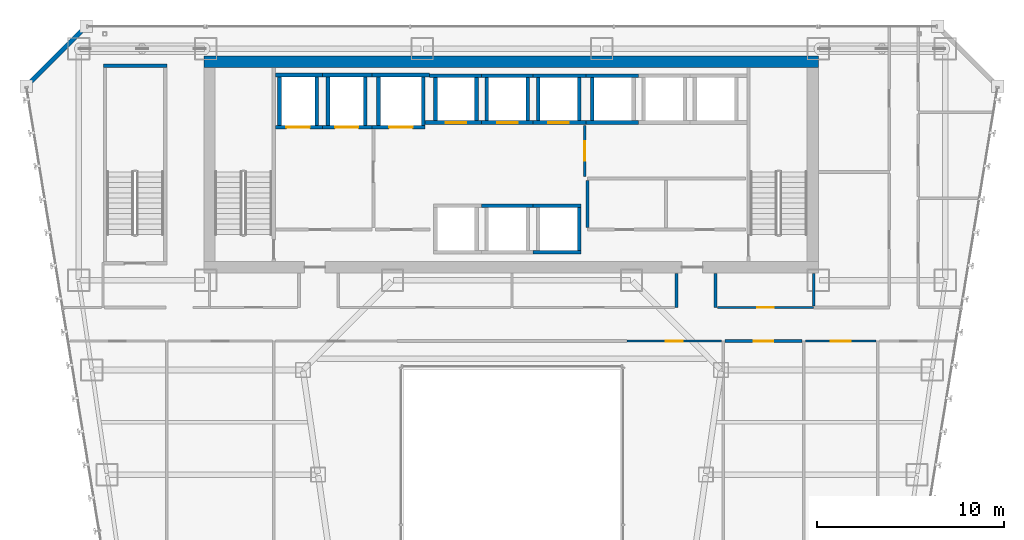
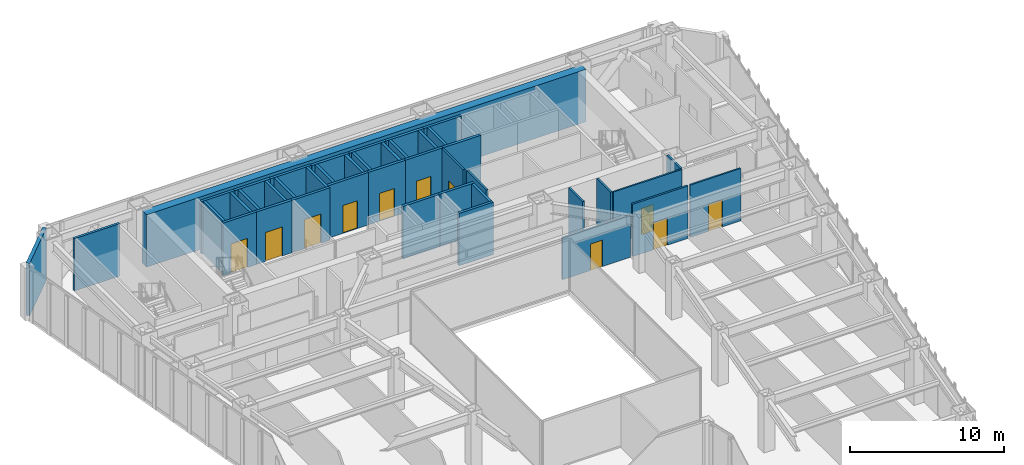
# One storey, part 37 of 47: 43 walls, 11 doors, 11 openings.
"""IFC4 building model written with IfcOpenShell, lengths in metres."""

from ifc_helpers import new_model, si_unit, direction, frame, frame_2d, origin, place, context, subcontext, project, spatial, rectangle, extrude, material, layer, layer_set, type_object, element, fill, save


model = new_model("IFC4")

# Units and contexts
model_context = context("Model", 3, precision=1e-05, world=origin(), true_north=direction((0.0, 1.0)))
body_context = subcontext(model_context, "Body", "Model", "MODEL_VIEW")
ifc_project = project(units=[si_unit("LENGTHUNIT", "METRE"), si_unit("AREAUNIT", "SQUARE_METRE"), si_unit("VOLUMEUNIT", "CUBIC_METRE"), si_unit("PLANEANGLEUNIT", "RADIAN"), si_unit("MASSUNIT", "GRAM", prefix="KILO")], contexts=[model_context])

# Site, building, storey
site_placement = place(None, origin())
site = spatial("IfcSite", under=ifc_project, at=site_placement, CompositionType="ELEMENT")
building_placement = place(site_placement, origin())
building = spatial("IfcBuilding", under=site, at=building_placement, Name="Saevonmaru Cultural Tower", CompositionType="ELEMENT")
storey_placement = place(building_placement, frame((0.0, 0.0, 92.800048828125)))
storey = spatial("IfcBuildingStorey", under=building, at=storey_placement, Name="L19", CompositionType="ELEMENT", Elevation=92.800048828125)

# Wall
ifc_material_1 = material(Name="Concrete C60/75", Category="concrete")
ifc_layer_1 = layer(ifc_material_1, 0.60009765625, Name="Concrete C60/75")
ifc_layer_set_1 = layer_set([ifc_layer_1], Name="Concrete C60/75")
wall_type_1 = type_object("IfcWallType", Name="WL-CORE-600", PredefinedType="SHEAR", material=ifc_layer_set_1)
wall_1_placement = place(storey_placement, frame((13.5, 54.10009765625, 0.0), z_axis=(0.0, 0.0, 1.0), x_axis=(1.0, 0.0, 0.0)))
element("IfcWall", 1, at=wall_1_placement, inside=storey, type_object=wall_type_1, Name="L19 Tower RC core shear wall N", PredefinedType="SHEAR", context=body_context, shape_type="SweptSolid", body=[
    extrude(rectangle(XDim=32.89990234375, YDim=0.60009765625, at=frame_2d((16.449951171875, 0.0))), origin(), (0.0, 0.0, 1.0), 4.14990234375),
])

# Wall, opening, door
ifc_material_2 = material(Name="Gypsum Fireboard Partition", Category="gypsum")
ifc_layer_2 = layer(ifc_material_2, 0.14990234375, Name="Gypsum Fireboard Partition")
ifc_layer_set_2 = layer_set([ifc_layer_2], Name="Gypsum Fireboard Partition")
wall_type_2 = type_object("IfcWallType", Name="WL-CORE-PART-150", PredefinedType="PARTITIONING", material=ifc_layer_set_2)
wall_2_placement = place(storey_placement, frame((33.89990234375, 47.949951171875, 0.0), z_axis=(0.0, 0.0, 1.0), x_axis=(0.0, 1.0, 0.0)))
wall_2 = element("IfcWall", 2, at=wall_2_placement, inside=storey, type_object=wall_type_2, Name="L19 Zone Lobby Divider", PredefinedType="PARTITIONING", context=body_context, shape_type="SweptSolid", body=[
    extrude(rectangle(XDim=2.75, YDim=0.14990234375, at=frame_2d((1.375, 0.0))), origin(), (0.0, 0.0, 1.0), 4.14990234375),
])
opening_1_placement = place(wall_2_placement, frame((0.85009765625, 0.0, 0.0)))
opening_1 = element("IfcOpeningElement", 3, at=opening_1_placement, cuts=wall_2, Name="Opening ID-1", PredefinedType="OPENING", context=body_context, shape_type="SweptSolid", body=[
    extrude(rectangle(XDim=1.050048828125, YDim=2.14990234375, at=frame_2d((0.52490234375, 1.074951171875))), frame((0.0, 0.0849609375, 0.0), z_axis=(0.0, -1.0, 0.0), x_axis=(1.0, 0.0, 0.0)), (0.0, 0.0, 1.0), 0.169921875),
])
ifc_material_3 = material(Name="Satin Bronze Anodised Aluminium", Category="aluminium")
door_type_1 = type_object("IfcDoorType", Name="DR-INT-1050", OperationType="SINGLE_SWING_LEFT", PredefinedType="DOOR", material=ifc_material_3)
door_1_placement = place(opening_1_placement, origin())
door_1 = element("IfcDoor", 4, at=door_1_placement, inside=storey, type_object=door_type_1, Name="L19 Inter-Lobby Link Door", OperationType="SINGLE_SWING_LEFT", OverallHeight=2.14990234375, OverallWidth=1.050048828125, PredefinedType="DOOR", context=body_context, shape_type="SweptSolid", body=[
    extrude(rectangle(XDim=1.050048828125, YDim=2.14990234375, at=frame_2d((0.52490234375, 1.074951171875))), frame((0.0, 0.02490234375, 0.0), z_axis=(0.0, -1.0, 0.0), x_axis=(1.0, 0.0, 0.0)), (0.0, 0.0, 1.0), 0.050048828125),
])
fill(opening_1, door_1)

# Walls
wall_3_placement = place(storey_placement, frame((34.050048828125, 45.219970703125, 0.0), z_axis=(0.0, 0.0, 1.0), x_axis=(0.0, 1.0, 0.0)))
element("IfcWall", 5, at=wall_3_placement, inside=storey, type_object=wall_type_2, Name="L19 Core Plant West Wall", PredefinedType="PARTITIONING", context=body_context, shape_type="SweptSolid", body=[
    extrude(rectangle(XDim=2.530029296875, YDim=0.14990234375, at=frame_2d((1.26513671875, 0.0))), origin(), (0.0, 0.0, 1.0), 4.14990234375),
])
ifc_material_4 = material(Name="Granite-Clad Precast Concrete C40/50", Category="masonry")
ifc_layer_3 = layer(ifc_material_4, 0.260009765625, Name="Granite-Clad Precast Concrete C40/50")
ifc_layer_set_3 = layer_set([ifc_layer_3], Name="Granite-Clad Precast Concrete C40/50")
wall_type_3 = type_object("IfcWallType", Name="WL-EXT-SPANDREL-260", PredefinedType="STANDARD", material=ifc_layer_set_3)
wall_4_placement = place(storey_placement, frame((7.0869140625, 55.886962890625, 0.0), z_axis=(0.0, 0.0, 1.0), x_axis=(-0.707106781187, -0.707106781187, 0.0)))
element("IfcWall", 6, at=wall_4_placement, inside=storey, type_object=wall_type_3, Name="L19 Chamfer Corner Spandrel Wall E11", PredefinedType="STANDARD", context=body_context, shape_type="SweptSolid", body=[
    extrude(rectangle(XDim=4.205810546875, YDim=0.260009765625, at=frame_2d((2.10302734375, 0.0))), origin(), (0.0, 0.0, 1.0), 4.14990234375),
])
ifc_layer_4 = layer(ifc_material_2, 0.14990234375, Name="Gypsum Fireboard Partition")
ifc_layer_set_4 = layer_set([ifc_layer_4], Name="Gypsum Fireboard Partition")
wall_type_4 = type_object("IfcWallType", Name="WL-PART-FIRE-150", PredefinedType="PARTITIONING", material=ifc_layer_set_4)
for number, where, z_axis, x_axis, name in (
    (7, (38.800048828125, 40.949951171875, 0.0), (0.0, 0.0, 1.0), (0.0, 1.0, 0.0), "L19 Core Portal Side Wall E1"),
    (8, (40.89990234375, 40.949951171875, 0.0), (0.0, 0.0, 1.0), (0.0, 1.0, 0.0), "L19 Core Portal Side Wall E2"),
):
    element("IfcWall", number, at=place(storey_placement, frame(where, z_axis=z_axis, x_axis=x_axis)), inside=storey, type_object=wall_type_4, Name=name, PredefinedType="PARTITIONING", context=body_context, shape_type="SweptSolid", body=[
        extrude(rectangle(XDim=1.830078125, YDim=0.14990234375, at=frame_2d((0.9150390625, 0.0))), origin(), (0.0, 0.0, 1.0), 4.14990234375),
    ])

# Wall, opening, door
wall_5_placement = place(storey_placement, frame((41.3974609375, 39.14990234375, 0.0), z_axis=(0.0, 0.0, 1.0), x_axis=(1.0, 0.0, 0.0)))
wall_5 = element("IfcWall", 9, at=wall_5_placement, inside=storey, type_object=wall_type_4, Name="L19 East Asian Ceramics Gallery Corridor Wall", PredefinedType="PARTITIONING", context=body_context, shape_type="SweptSolid", body=[
    extrude(rectangle(XDim=4.135009765625, YDim=0.14990234375, at=frame_2d((2.0673828125, 0.0))), origin(), (0.0, 0.0, 1.0), 4.14990234375),
])
opening_2_placement = place(wall_5_placement, frame((1.5419921875, 0.0, 0.0)))
opening_2 = element("IfcOpeningElement", 10, at=opening_2_placement, cuts=wall_5, Name="Opening ID-1", PredefinedType="OPENING", context=body_context, shape_type="SweptSolid", body=[
    extrude(rectangle(XDim=1.050048828125, YDim=2.14990234375, at=frame_2d((0.52490234375, 1.074951171875))), frame((0.0, 0.0849609375, 0.0), z_axis=(0.0, -1.0, 0.0), x_axis=(1.0, 0.0, 0.0)), (0.0, 0.0, 1.0), 0.169921875),
])
door_2_placement = place(opening_2_placement, origin())
door_2 = element("IfcDoor", 11, at=door_2_placement, inside=storey, type_object=door_type_1, Name="L19 East Asian Ceramics Gallery Door", OperationType="SINGLE_SWING_LEFT", OverallHeight=2.14990234375, OverallWidth=1.050048828125, PredefinedType="DOOR", context=body_context, shape_type="SweptSolid", body=[
    extrude(rectangle(XDim=1.050048828125, YDim=2.14990234375, at=frame_2d((0.52490234375, 1.074951171875))), frame((0.0, 0.02490234375, 0.0), z_axis=(0.0, -1.0, 0.0), x_axis=(1.0, 0.0, 0.0)), (0.0, 0.0, 1.0), 0.050048828125),
])
fill(opening_2, door_2)

ifc_layer_5 = layer(ifc_material_2, 0.1201171875, Name="Gypsum Fireboard Partition")
ifc_layer_set_5 = layer_set([ifc_layer_5], Name="Gypsum Fireboard Partition")
wall_type_5 = type_object("IfcWallType", Name="WL-PART-GYP-120", PredefinedType="PARTITIONING", material=ifc_layer_set_5)
wall_6_placement = place(storey_placement, frame((40.9951171875, 40.949951171875, 0.0), z_axis=(0.0, 0.0, 1.0), x_axis=(1.0, 0.0, 0.0)))
wall_6 = element("IfcWall", 12, at=wall_6_placement, inside=storey, type_object=wall_type_5, Name="L19 Literature Seminar Meeting Room Corridor Wall", PredefinedType="PARTITIONING", context=body_context, shape_type="SweptSolid", body=[
    extrude(rectangle(XDim=5.15478515625, YDim=0.1201171875, at=frame_2d((2.577392578125, 0.0))), origin(), (0.0, 0.0, 1.0), 4.14990234375),
])
opening_3_placement = place(wall_6_placement, frame((2.1279296875, 0.0, 0.0)))
opening_3 = element("IfcOpeningElement", 13, at=opening_3_placement, cuts=wall_6, Name="Opening ID-2", PredefinedType="OPENING", context=body_context, shape_type="SweptSolid", body=[
    extrude(rectangle(XDim=0.89990234375, YDim=2.10009765625, at=frame_2d((0.449951171875, 1.050048828125))), frame((0.0, 0.070068359375, 0.0), z_axis=(0.0, -1.0, 0.0), x_axis=(1.0, 0.0, 0.0)), (0.0, 0.0, 1.0), 0.14013671875),
])
ifc_material_5 = material(Name="Acoustic Stained Oak Timber", Category="wood")
door_type_2 = type_object("IfcDoorType", Name="DR-INT-900", OperationType="SINGLE_SWING_RIGHT", PredefinedType="DOOR", material=ifc_material_5)
door_3_placement = place(opening_3_placement, origin())
door_3 = element("IfcDoor", 14, at=door_3_placement, inside=storey, type_object=door_type_2, Name="L19 Literature Seminar Meeting Room Door", OperationType="SINGLE_SWING_RIGHT", OverallHeight=2.10009765625, OverallWidth=0.89990234375, PredefinedType="DOOR", context=body_context, shape_type="SweptSolid", body=[
    extrude(rectangle(XDim=0.89990234375, YDim=2.10009765625, at=frame_2d((0.449951171875, 1.050048828125))), frame((0.0, 0.02490234375, 0.0), z_axis=(0.0, -1.0, 0.0), x_axis=(1.0, 0.0, 0.0)), (0.0, 0.0, 1.0), 0.050048828125),
])
fill(opening_3, door_3)

wall_7_placement = place(storey_placement, frame((36.14990234375, 39.14990234375, 0.0), z_axis=(0.0, 0.0, 1.0), x_axis=(1.0, 0.0, 0.0)))
wall_7 = element("IfcWall", 15, at=wall_7_placement, inside=storey, type_object=wall_type_5, Name="L19 Literature Seminar Meeting Room Corridor Wall", PredefinedType="PARTITIONING", context=body_context, shape_type="SweptSolid", body=[
    extrude(rectangle(XDim=5.072509765625, YDim=0.1201171875, at=frame_2d((2.5361328125, 0.0))), origin(), (0.0, 0.0, 1.0), 3.3349609375),
])
opening_4_placement = place(wall_7_placement, frame((2.0859375, 0.0, 0.0)))
opening_4 = element("IfcOpeningElement", 16, at=opening_4_placement, cuts=wall_7, Name="Opening ID-2", PredefinedType="OPENING", context=body_context, shape_type="SweptSolid", body=[
    extrude(rectangle(XDim=0.89990234375, YDim=2.10009765625, at=frame_2d((0.449951171875, 1.050048828125))), frame((0.0, 0.070068359375, 0.0), z_axis=(0.0, -1.0, 0.0), x_axis=(1.0, 0.0, 0.0)), (0.0, 0.0, 1.0), 0.14013671875),
])
door_4_placement = place(opening_4_placement, origin())
door_4 = element("IfcDoor", 17, at=door_4_placement, inside=storey, type_object=door_type_2, Name="L19 Literature Seminar Meeting Room Door", OperationType="SINGLE_SWING_RIGHT", OverallHeight=2.10009765625, OverallWidth=0.89990234375, PredefinedType="DOOR", context=body_context, shape_type="SweptSolid", body=[
    extrude(rectangle(XDim=0.89990234375, YDim=2.10009765625, at=frame_2d((0.449951171875, 1.050048828125))), frame((0.0, 0.02490234375, 0.0), z_axis=(0.0, -1.0, 0.0), x_axis=(1.0, 0.0, 0.0)), (0.0, 0.0, 1.0), 0.050048828125),
])
fill(opening_4, door_4)

wall_8_placement = place(storey_placement, frame((45.70751953125, 39.14990234375, 0.0), z_axis=(0.0, 0.0, 1.0), x_axis=(1.0, 0.0, 0.0)))
wall_8 = element("IfcWall", 18, at=wall_8_placement, inside=storey, type_object=wall_type_5, Name="L19 Rare Folio Reading Room Corridor Wall", PredefinedType="PARTITIONING", context=body_context, shape_type="SweptSolid", body=[
    extrude(rectangle(XDim=3.784912109375, YDim=0.1201171875, at=frame_2d((1.892578125, 0.0))), origin(), (0.0, 0.0, 1.0), 4.14990234375),
])
opening_5_placement = place(wall_8_placement, frame((1.366943359375, 0.0, 0.0)))
opening_5 = element("IfcOpeningElement", 19, at=opening_5_placement, cuts=wall_8, Name="Opening ID-1", PredefinedType="OPENING", context=body_context, shape_type="SweptSolid", body=[
    extrude(rectangle(XDim=1.050048828125, YDim=2.14990234375, at=frame_2d((0.52490234375, 1.074951171875))), frame((0.0, 0.070068359375, 0.0), z_axis=(0.0, -1.0, 0.0), x_axis=(1.0, 0.0, 0.0)), (0.0, 0.0, 1.0), 0.14013671875),
])
door_5_placement = place(opening_5_placement, origin())
door_5 = element("IfcDoor", 20, at=door_5_placement, inside=storey, type_object=door_type_1, Name="L19 Rare Folio Reading Room Door", OperationType="SINGLE_SWING_RIGHT", OverallHeight=2.14990234375, OverallWidth=1.050048828125, PredefinedType="DOOR", context=body_context, shape_type="SweptSolid", body=[
    extrude(rectangle(XDim=1.050048828125, YDim=2.14990234375, at=frame_2d((0.52490234375, 1.074951171875))), frame((0.0, 0.02490234375, 0.0), z_axis=(0.0, -1.0, 0.0), x_axis=(1.0, 0.0, 0.0)), (0.0, 0.0, 1.0), 0.050048828125),
])
fill(opening_5, door_5)

# Wall
ifc_layer_6 = layer(ifc_material_2, 0.139892578125, Name="Gypsum Fireboard Partition")
ifc_layer_set_6 = layer_set([ifc_layer_6], Name="Gypsum Fireboard Partition")
wall_type_6 = type_object("IfcWallType", Name="WL-PART-WET-140", PredefinedType="PARTITIONING", material=ifc_layer_set_6)
wall_9_placement = place(storey_placement, frame((46.14990234375, 41.0400390625, 0.0), z_axis=(0.0, 0.0, 1.0), x_axis=(0.0, 1.0, 0.0)))
element("IfcWall", 21, at=wall_9_placement, inside=storey, type_object=wall_type_6, Name="L19 Washroom South-West Return", PredefinedType="PARTITIONING", context=body_context, shape_type="SweptSolid", body=[
    extrude(rectangle(XDim=1.739990234375, YDim=0.139892578125, at=frame_2d((0.8701171875, 0.0))), origin(), (0.0, 0.0, 1.0), 4.14990234375),
])

# Wall, opening, door
ifc_material_6 = material(Name="Concrete C40/50", Category="concrete")
ifc_layer_7 = layer(ifc_material_6, 0.199951171875, Name="Concrete C40/50")
ifc_layer_set_7 = layer_set([ifc_layer_7], Name="Concrete C40/50")
wall_type_7 = type_object("IfcWallType", Name="WL-SHAFT-200", PredefinedType="SHEAR", material=ifc_layer_set_7)
wall_10_placement = place(storey_placement, frame((17.330078125, 50.60009765625, 0.0), z_axis=(0.0, 0.0, 1.0), x_axis=(1.0, 0.0, 0.0)))
wall_10 = element("IfcWall", 22, at=wall_10_placement, inside=storey, type_object=wall_type_7, Name="L19 Lift FFL-1 Hoistway Wall S", PredefinedType="SHEAR", context=body_context, shape_type="SweptSolid", body=[
    extrude(rectangle(XDim=2.52001953125, YDim=0.199951171875, at=frame_2d((1.260009765625, 0.0))), origin(), (0.0, 0.0, 1.0), 4.14990234375),
])
opening_6_placement = place(wall_10_placement, frame((0.594970703125, 0.0, 0.0)))
opening_6 = element("IfcOpeningElement", 23, at=opening_6_placement, cuts=wall_10, Name="Opening LD-2", PredefinedType="OPENING", context=body_context, shape_type="SweptSolid", body=[
    extrude(rectangle(XDim=1.25, YDim=2.300048828125, at=frame_2d((0.625, 1.14990234375))), frame((0.0, 0.10986328125, 0.0), z_axis=(0.0, -1.0, 0.0), x_axis=(1.0, 0.0, 0.0)), (0.0, 0.0, 1.0), 0.219970703125),
])
ifc_material_7 = material(Name="Stainless Steel 316", Category="steel")
door_type_3 = type_object("IfcDoorType", Name="DR-LIFT-1250", OperationType="SLIDING_TO_LEFT", PredefinedType="DOOR", material=ifc_material_7)
door_6_placement = place(opening_6_placement, origin())
door_6 = element("IfcDoor", 24, at=door_6_placement, inside=storey, type_object=door_type_3, Name="L19 Lift FFL-1 Sliding Landing Door", OperationType="SLIDING_TO_LEFT", OverallHeight=2.300048828125, OverallWidth=1.25, PredefinedType="DOOR", context=body_context, shape_type="SweptSolid", body=[
    extrude(rectangle(XDim=1.25, YDim=2.300048828125, at=frame_2d((0.625, 1.14990234375))), frame((0.0, 0.02490234375, 0.0), z_axis=(0.0, -1.0, 0.0), x_axis=(1.0, 0.0, 0.0)), (0.0, 0.0, 1.0), 0.050048828125),
])
fill(opening_6, door_6)

# Walls
wall_11_placement = place(storey_placement, frame((17.330078125, 53.39990234375, 0.0), z_axis=(0.0, 0.0, 1.0), x_axis=(1.0, 0.0, 0.0)))
element("IfcWall", 25, at=wall_11_placement, inside=storey, type_object=wall_type_7, Name="L19 Lift FFL-1 Hoistway Wall N", PredefinedType="SHEAR", context=body_context, shape_type="SweptSolid", body=[
    extrude(rectangle(XDim=2.52001953125, YDim=0.199951171875, at=frame_2d((1.260009765625, 0.0))), origin(), (0.0, 0.0, 1.0), 4.14990234375),
])
for number, where, z_axis, x_axis, name in (
    (26, (17.550048828125, 50.699951171875, 0.0), (0.0, 0.0, 1.0), (0.0, 1.0, 0.0), "L19 Lift FFL-1 Hoistway Wall W"),
    (27, (19.550048828125, 50.699951171875, 0.0), (0.0, 0.0, 1.0), (0.0, 1.0, 0.0), "L19 Lift FFL-1 Hoistway Wall E"),
):
    element("IfcWall", number, at=place(storey_placement, frame(where, z_axis=z_axis, x_axis=x_axis)), inside=storey, type_object=wall_type_7, Name=name, PredefinedType="SHEAR", context=body_context, shape_type="SweptSolid", body=[
        extrude(rectangle(XDim=2.60009765625, YDim=0.199951171875, at=frame_2d((1.300048828125, 0.0))), origin(), (0.0, 0.0, 1.0), 4.14990234375),
    ])

# Wall, opening, door
wall_12_placement = place(storey_placement, frame((19.85009765625, 50.60009765625, 0.0), z_axis=(0.0, 0.0, 1.0), x_axis=(1.0, 0.0, 0.0)))
wall_12 = element("IfcWall", 28, at=wall_12_placement, inside=storey, type_object=wall_type_7, Name="L19 Lift FFL-2 Hoistway Wall S", PredefinedType="SHEAR", context=body_context, shape_type="SweptSolid", body=[
    extrude(rectangle(XDim=2.64990234375, YDim=0.199951171875, at=frame_2d((1.324951171875, 0.0))), origin(), (0.0, 0.0, 1.0), 4.14990234375),
])
opening_7_placement = place(wall_12_placement, frame((0.675048828125, 0.0, 0.0)))
opening_7 = element("IfcOpeningElement", 29, at=opening_7_placement, cuts=wall_12, Name="Opening LD-2", PredefinedType="OPENING", context=body_context, shape_type="SweptSolid", body=[
    extrude(rectangle(XDim=1.25, YDim=2.300048828125, at=frame_2d((0.625, 1.14990234375))), frame((0.0, 0.10986328125, 0.0), z_axis=(0.0, -1.0, 0.0), x_axis=(1.0, 0.0, 0.0)), (0.0, 0.0, 1.0), 0.219970703125),
])
door_7_placement = place(opening_7_placement, origin())
door_7 = element("IfcDoor", 30, at=door_7_placement, inside=storey, type_object=door_type_3, Name="L19 Lift FFL-2 Sliding Landing Door", OperationType="SLIDING_TO_LEFT", OverallHeight=2.300048828125, OverallWidth=1.25, PredefinedType="DOOR", context=body_context, shape_type="SweptSolid", body=[
    extrude(rectangle(XDim=1.25, YDim=2.300048828125, at=frame_2d((0.625, 1.14990234375))), frame((0.0, 0.02490234375, 0.0), z_axis=(0.0, -1.0, 0.0), x_axis=(1.0, 0.0, 0.0)), (0.0, 0.0, 1.0), 0.050048828125),
])
fill(opening_7, door_7)

# Walls
wall_13_placement = place(storey_placement, frame((19.85009765625, 53.39990234375, 0.0), z_axis=(0.0, 0.0, 1.0), x_axis=(1.0, 0.0, 0.0)))
element("IfcWall", 31, at=wall_13_placement, inside=storey, type_object=wall_type_7, Name="L19 Lift FFL-2 Hoistway Wall N", PredefinedType="SHEAR", context=body_context, shape_type="SweptSolid", body=[
    extrude(rectangle(XDim=2.64990234375, YDim=0.199951171875, at=frame_2d((1.324951171875, 0.0))), origin(), (0.0, 0.0, 1.0), 4.14990234375),
])
for number, where, z_axis, x_axis, name in (
    (32, (20.14990234375, 50.699951171875, 0.0), (0.0, 0.0, 1.0), (0.0, 1.0, 0.0), "L19 Lift FFL-2 Hoistway Wall W"),
    (33, (22.14990234375, 50.699951171875, 0.0), (0.0, 0.0, 1.0), (0.0, 1.0, 0.0), "L19 Lift FFL-2 Hoistway Wall E"),
):
    element("IfcWall", number, at=place(storey_placement, frame(where, z_axis=z_axis, x_axis=x_axis)), inside=storey, type_object=wall_type_7, Name=name, PredefinedType="SHEAR", context=body_context, shape_type="SweptSolid", body=[
        extrude(rectangle(XDim=2.60009765625, YDim=0.199951171875, at=frame_2d((1.300048828125, 0.0))), origin(), (0.0, 0.0, 1.0), 4.14990234375),
    ])

# Wall, opening, door
wall_14_placement = place(storey_placement, frame((22.5, 50.60009765625, 0.0), z_axis=(0.0, 0.0, 1.0), x_axis=(1.0, 0.0, 0.0)))
wall_14 = element("IfcWall", 34, at=wall_14_placement, inside=storey, type_object=wall_type_7, Name="L19 Lift GL-1 Hoistway Wall S", PredefinedType="SHEAR", context=body_context, shape_type="SweptSolid", body=[
    extrude(rectangle(XDim=2.85009765625, YDim=0.199951171875, at=frame_2d((1.425048828125, 0.0))), origin(), (0.0, 0.0, 1.0), 4.14990234375),
])
opening_8_placement = place(wall_14_placement, frame((0.925048828125, 0.0, 0.0)))
opening_8 = element("IfcOpeningElement", 35, at=opening_8_placement, cuts=wall_14, Name="Opening LD-2", PredefinedType="OPENING", context=body_context, shape_type="SweptSolid", body=[
    extrude(rectangle(XDim=1.25, YDim=2.300048828125, at=frame_2d((0.625, 1.14990234375))), frame((0.0, 0.10986328125, 0.0), z_axis=(0.0, -1.0, 0.0), x_axis=(1.0, 0.0, 0.0)), (0.0, 0.0, 1.0), 0.219970703125),
])
door_8_placement = place(opening_8_placement, origin())
door_8 = element("IfcDoor", 36, at=door_8_placement, inside=storey, type_object=door_type_3, Name="L19 Lift GL-1 Sliding Landing Door", OperationType="SLIDING_TO_LEFT", OverallHeight=2.300048828125, OverallWidth=1.25, PredefinedType="DOOR", context=body_context, shape_type="SweptSolid", body=[
    extrude(rectangle(XDim=1.25, YDim=2.300048828125, at=frame_2d((0.625, 1.14990234375))), frame((0.0, 0.02490234375, 0.0), z_axis=(0.0, -1.0, 0.0), x_axis=(1.0, 0.0, 0.0)), (0.0, 0.0, 1.0), 0.050048828125),
])
fill(opening_8, door_8)

# Walls
wall_15_placement = place(storey_placement, frame((22.5, 53.39990234375, 0.0), z_axis=(0.0, 0.0, 1.0), x_axis=(1.0, 0.0, 0.0)))
element("IfcWall", 37, at=wall_15_placement, inside=storey, type_object=wall_type_7, Name="L19 Lift GL-1 Hoistway Wall N", PredefinedType="SHEAR", context=body_context, shape_type="SweptSolid", body=[
    extrude(rectangle(XDim=3.074951171875, YDim=0.199951171875, at=frame_2d((1.53759765625, 0.0))), origin(), (0.0, 0.0, 1.0), 4.14990234375),
])
for number, where, z_axis, x_axis, name in (
    (38, (22.85009765625, 50.699951171875, 0.0), (0.0, 0.0, 1.0), (0.0, 1.0, 0.0), "L19 Lift GL-1 Hoistway Wall W"),
    (39, (25.25, 50.699951171875, 0.0), (0.0, 0.0, 1.0), (0.0, 1.0, 0.0), "L19 Lift GL-1 Hoistway Wall E"),
):
    element("IfcWall", number, at=place(storey_placement, frame(where, z_axis=z_axis, x_axis=x_axis)), inside=storey, type_object=wall_type_7, Name=name, PredefinedType="SHEAR", context=body_context, shape_type="SweptSolid", body=[
        extrude(rectangle(XDim=2.60009765625, YDim=0.199951171875, at=frame_2d((1.300048828125, 0.0))), origin(), (0.0, 0.0, 1.0), 4.14990234375),
    ])

# Wall, opening, door
wall_16_placement = place(storey_placement, frame((25.35009765625, 50.85009765625, 0.0), z_axis=(0.0, 0.0, 1.0), x_axis=(1.0, 0.0, 0.0)))
wall_16 = element("IfcWall", 40, at=wall_16_placement, inside=storey, type_object=wall_type_7, Name="L19 Lift PL-L1 Hoistway Wall S", PredefinedType="SHEAR", context=body_context, shape_type="SweptSolid", body=[
    extrude(rectangle(XDim=3.02490234375, YDim=0.199951171875, at=frame_2d((1.512451171875, 0.0))), origin(), (0.0, 0.0, 1.0), 4.14990234375),
])
opening_9_placement = place(wall_16_placement, frame((1.10009765625, 0.0, 0.0)))
opening_9 = element("IfcOpeningElement", 41, at=opening_9_placement, cuts=wall_16, Name="Opening LD-1", PredefinedType="OPENING", context=body_context, shape_type="SweptSolid", body=[
    extrude(rectangle(XDim=1.10009765625, YDim=2.199951171875, at=frame_2d((0.550048828125, 1.10009765625))), frame((0.0, 0.10986328125, 0.0), z_axis=(0.0, -1.0, 0.0), x_axis=(1.0, 0.0, 0.0)), (0.0, 0.0, 1.0), 0.219970703125),
])
ifc_material_8 = material(Name="Satin Bronze Stainless Steel", Category="steel")
door_type_4 = type_object("IfcDoorType", Name="DR-LIFT-1100", OperationType="SLIDING_TO_LEFT", PredefinedType="DOOR", material=ifc_material_8)
door_9_placement = place(opening_9_placement, origin())
door_9 = element("IfcDoor", 42, at=door_9_placement, inside=storey, type_object=door_type_4, Name="L19 Lift PL-L1 Sliding Landing Door", OperationType="SLIDING_TO_LEFT", OverallHeight=2.199951171875, OverallWidth=1.10009765625, PredefinedType="DOOR", context=body_context, shape_type="SweptSolid", body=[
    extrude(rectangle(XDim=1.10009765625, YDim=2.199951171875, at=frame_2d((0.550048828125, 1.10009765625))), frame((0.0, 0.02490234375, 0.0), z_axis=(0.0, -1.0, 0.0), x_axis=(1.0, 0.0, 0.0)), (0.0, 0.0, 1.0), 0.050048828125),
])
fill(opening_9, door_9)

# Walls
wall_17_placement = place(storey_placement, frame((25.574951171875, 53.35009765625, 0.0), z_axis=(0.0, 0.0, 1.0), x_axis=(1.0, 0.0, 0.0)))
element("IfcWall", 43, at=wall_17_placement, inside=storey, type_object=wall_type_7, Name="L19 Lift PL-L1 Hoistway Wall N", PredefinedType="SHEAR", context=body_context, shape_type="SweptSolid", body=[
    extrude(rectangle(XDim=2.800048828125, YDim=0.199951171875, at=frame_2d((1.39990234375, 0.0))), origin(), (0.0, 0.0, 1.0), 4.14990234375),
])
for number, where, z_axis, x_axis, name in (
    (44, (25.89990234375, 50.949951171875, 0.0), (0.0, 0.0, 1.0), (0.0, 1.0, 0.0), "L19 Lift PL-L1 Hoistway Wall W"),
    (45, (28.10009765625, 50.949951171875, 0.0), (0.0, 0.0, 1.0), (0.0, 1.0, 0.0), "L19 Lift PL-L1 Hoistway Wall E"),
):
    element("IfcWall", number, at=place(storey_placement, frame(where, z_axis=z_axis, x_axis=x_axis)), inside=storey, type_object=wall_type_7, Name=name, PredefinedType="SHEAR", context=body_context, shape_type="SweptSolid", body=[
        extrude(rectangle(XDim=2.300048828125, YDim=0.199951171875, at=frame_2d((1.14990234375, 0.0))), origin(), (0.0, 0.0, 1.0), 4.14990234375),
    ])

# Wall, opening, door
wall_18_placement = place(storey_placement, frame((28.375, 50.85009765625, 0.0), z_axis=(0.0, 0.0, 1.0), x_axis=(1.0, 0.0, 0.0)))
wall_18 = element("IfcWall", 46, at=wall_18_placement, inside=storey, type_object=wall_type_7, Name="L19 Lift PL-L2 Hoistway Wall S", PredefinedType="SHEAR", context=body_context, shape_type="SweptSolid", body=[
    extrude(rectangle(XDim=2.75, YDim=0.199951171875, at=frame_2d((1.375, 0.0))), origin(), (0.0, 0.0, 1.0), 4.14990234375),
])
opening_10_placement = place(wall_18_placement, frame((0.824951171875, 0.0, 0.0)))
opening_10 = element("IfcOpeningElement", 47, at=opening_10_placement, cuts=wall_18, Name="Opening LD-1", PredefinedType="OPENING", context=body_context, shape_type="SweptSolid", body=[
    extrude(rectangle(XDim=1.10009765625, YDim=2.199951171875, at=frame_2d((0.550048828125, 1.10009765625))), frame((0.0, 0.10986328125, 0.0), z_axis=(0.0, -1.0, 0.0), x_axis=(1.0, 0.0, 0.0)), (0.0, 0.0, 1.0), 0.219970703125),
])
door_10_placement = place(opening_10_placement, origin())
door_10 = element("IfcDoor", 48, at=door_10_placement, inside=storey, type_object=door_type_4, Name="L19 Lift PL-L2 Sliding Landing Door", OperationType="SLIDING_TO_LEFT", OverallHeight=2.199951171875, OverallWidth=1.10009765625, PredefinedType="DOOR", context=body_context, shape_type="SweptSolid", body=[
    extrude(rectangle(XDim=1.10009765625, YDim=2.199951171875, at=frame_2d((0.550048828125, 1.10009765625))), frame((0.0, 0.02490234375, 0.0), z_axis=(0.0, -1.0, 0.0), x_axis=(1.0, 0.0, 0.0)), (0.0, 0.0, 1.0), 0.050048828125),
])
fill(opening_10, door_10)

# Walls
wall_19_placement = place(storey_placement, frame((28.375, 53.35009765625, 0.0), z_axis=(0.0, 0.0, 1.0), x_axis=(1.0, 0.0, 0.0)))
element("IfcWall", 49, at=wall_19_placement, inside=storey, type_object=wall_type_7, Name="L19 Lift PL-L2 Hoistway Wall N", PredefinedType="SHEAR", context=body_context, shape_type="SweptSolid", body=[
    extrude(rectangle(XDim=2.75, YDim=0.199951171875, at=frame_2d((1.375, 0.0))), origin(), (0.0, 0.0, 1.0), 4.14990234375),
])
for number, where, z_axis, x_axis, name in (
    (50, (28.64990234375, 50.949951171875, 0.0), (0.0, 0.0, 1.0), (0.0, 1.0, 0.0), "L19 Lift PL-L2 Hoistway Wall W"),
    (51, (30.85009765625, 50.949951171875, 0.0), (0.0, 0.0, 1.0), (0.0, 1.0, 0.0), "L19 Lift PL-L2 Hoistway Wall E"),
):
    element("IfcWall", number, at=place(storey_placement, frame(where, z_axis=z_axis, x_axis=x_axis)), inside=storey, type_object=wall_type_7, Name=name, PredefinedType="SHEAR", context=body_context, shape_type="SweptSolid", body=[
        extrude(rectangle(XDim=2.300048828125, YDim=0.199951171875, at=frame_2d((1.14990234375, 0.0))), origin(), (0.0, 0.0, 1.0), 4.14990234375),
    ])

# Wall, opening, door
wall_20_placement = place(storey_placement, frame((31.125, 50.85009765625, 0.0), z_axis=(0.0, 0.0, 1.0), x_axis=(1.0, 0.0, 0.0)))
wall_20 = element("IfcWall", 52, at=wall_20_placement, inside=storey, type_object=wall_type_7, Name="L19 Lift PL-L3 Hoistway Wall S", PredefinedType="SHEAR", context=body_context, shape_type="SweptSolid", body=[
    extrude(rectangle(XDim=2.824951171875, YDim=0.199951171875, at=frame_2d((1.41259765625, 0.0))), origin(), (0.0, 0.0, 1.0), 4.14990234375),
])
opening_11_placement = place(wall_20_placement, frame((0.824951171875, 0.0, 0.0)))
opening_11 = element("IfcOpeningElement", 53, at=opening_11_placement, cuts=wall_20, Name="Opening LD-1", PredefinedType="OPENING", context=body_context, shape_type="SweptSolid", body=[
    extrude(rectangle(XDim=1.10009765625, YDim=2.199951171875, at=frame_2d((0.550048828125, 1.10009765625))), frame((0.0, 0.10986328125, 0.0), z_axis=(0.0, -1.0, 0.0), x_axis=(1.0, 0.0, 0.0)), (0.0, 0.0, 1.0), 0.219970703125),
])
door_11_placement = place(opening_11_placement, origin())
door_11 = element("IfcDoor", 54, at=door_11_placement, inside=storey, type_object=door_type_4, Name="L19 Lift PL-L3 Sliding Landing Door", OperationType="SLIDING_TO_LEFT", OverallHeight=2.199951171875, OverallWidth=1.10009765625, PredefinedType="DOOR", context=body_context, shape_type="SweptSolid", body=[
    extrude(rectangle(XDim=1.10009765625, YDim=2.199951171875, at=frame_2d((0.550048828125, 1.10009765625))), frame((0.0, 0.02490234375, 0.0), z_axis=(0.0, -1.0, 0.0), x_axis=(1.0, 0.0, 0.0)), (0.0, 0.0, 1.0), 0.050048828125),
])
fill(opening_11, door_11)

# Walls
wall_21_placement = place(storey_placement, frame((31.125, 53.35009765625, 0.0), z_axis=(0.0, 0.0, 1.0), x_axis=(1.0, 0.0, 0.0)))
element("IfcWall", 55, at=wall_21_placement, inside=storey, type_object=wall_type_7, Name="L19 Lift PL-L3 Hoistway Wall N", PredefinedType="SHEAR", context=body_context, shape_type="SweptSolid", body=[
    extrude(rectangle(XDim=2.824951171875, YDim=0.199951171875, at=frame_2d((1.41259765625, 0.0))), origin(), (0.0, 0.0, 1.0), 4.14990234375),
])
for number, where, z_axis, x_axis, name in (
    (56, (31.39990234375, 50.949951171875, 0.0), (0.0, 0.0, 1.0), (0.0, 1.0, 0.0), "L19 Lift PL-L3 Hoistway Wall W"),
    (57, (33.60009765625, 50.949951171875, 0.0), (0.0, 0.0, 1.0), (0.0, 1.0, 0.0), "L19 Lift PL-L3 Hoistway Wall E"),
):
    element("IfcWall", number, at=place(storey_placement, frame(where, z_axis=z_axis, x_axis=x_axis)), inside=storey, type_object=wall_type_7, Name=name, PredefinedType="SHEAR", context=body_context, shape_type="SweptSolid", body=[
        extrude(rectangle(XDim=2.300048828125, YDim=0.199951171875, at=frame_2d((1.14990234375, 0.0))), origin(), (0.0, 0.0, 1.0), 4.14990234375),
    ])
wall_22_placement = place(storey_placement, frame((28.375, 46.39990234375, 0.0), z_axis=(0.0, 0.0, 1.0), x_axis=(1.0, 0.0, 0.0)))
element("IfcWall", 58, at=wall_22_placement, inside=storey, type_object=wall_type_7, Name="L19 Lift PL-M2 Hoistway Wall N", PredefinedType="SHEAR", context=body_context, shape_type="SweptSolid", body=[
    extrude(rectangle(XDim=2.75, YDim=0.199951171875, at=frame_2d((1.375, 0.0))), origin(), (0.0, 0.0, 1.0), 4.14990234375),
])
for number, where, z_axis, x_axis, name in (
    (59, (31.125, 43.89990234375, 0.0), (0.0, 0.0, 1.0), (1.0, 0.0, 0.0), "L19 Lift PL-M3 Hoistway Wall S"),
    (60, (31.125, 46.39990234375, 0.0), (0.0, 0.0, 1.0), (1.0, 0.0, 0.0), "L19 Lift PL-M3 Hoistway Wall N"),
):
    element("IfcWall", number, at=place(storey_placement, frame(where, z_axis=z_axis, x_axis=x_axis)), inside=storey, type_object=wall_type_7, Name=name, PredefinedType="SHEAR", context=body_context, shape_type="SweptSolid", body=[
        extrude(rectangle(XDim=2.574951171875, YDim=0.199951171875, at=frame_2d((1.28759765625, 0.0))), origin(), (0.0, 0.0, 1.0), 4.14990234375),
    ])
wall_23_placement = place(storey_placement, frame((33.60009765625, 44.0, 0.0), z_axis=(0.0, 0.0, 1.0), x_axis=(0.0, 1.0, 0.0)))
element("IfcWall", 61, at=wall_23_placement, inside=storey, type_object=wall_type_7, Name="L19 Lift PL-M3 Hoistway Wall E", PredefinedType="SHEAR", context=body_context, shape_type="SweptSolid", body=[
    extrude(rectangle(XDim=2.300048828125, YDim=0.199951171875, at=frame_2d((1.14990234375, 0.0))), origin(), (0.0, 0.0, 1.0), 4.14990234375),
])
for number, where, z_axis, x_axis, name in (
    (62, (33.949951171875, 50.85009765625, 0.0), (0.0, 0.0, 1.0), (1.0, 0.0, 0.0), "L19 Lift PL-H1 Hoistway Wall S"),
    (63, (33.949951171875, 53.35009765625, 0.0), (0.0, 0.0, 1.0), (1.0, 0.0, 0.0), "L19 Lift PL-H1 Hoistway Wall N"),
):
    element("IfcWall", number, at=place(storey_placement, frame(where, z_axis=z_axis, x_axis=x_axis)), inside=storey, type_object=wall_type_7, Name=name, PredefinedType="SHEAR", context=body_context, shape_type="SweptSolid", body=[
        extrude(rectangle(XDim=2.824951171875, YDim=0.199951171875, at=frame_2d((1.41259765625, 0.0))), origin(), (0.0, 0.0, 1.0), 4.14990234375),
    ])
wall_24_placement = place(storey_placement, frame((34.300048828125, 50.949951171875, 0.0), z_axis=(0.0, 0.0, 1.0), x_axis=(0.0, 1.0, 0.0)))
element("IfcWall", 64, at=wall_24_placement, inside=storey, type_object=wall_type_7, Name="L19 Lift PL-H1 Hoistway Wall W", PredefinedType="SHEAR", context=body_context, shape_type="SweptSolid", body=[
    extrude(rectangle(XDim=2.300048828125, YDim=0.199951171875, at=frame_2d((1.14990234375, 0.0))), origin(), (0.0, 0.0, 1.0), 4.14990234375),
])
ifc_layer_8 = layer(ifc_material_6, 0.179931640625, Name="Concrete C40/50")
ifc_layer_set_8 = layer_set([ifc_layer_8], Name="Concrete C40/50")
wall_type_8 = type_object("IfcWallType", Name="WL-STSHAFT-180", PredefinedType="SHEAR", material=ifc_layer_set_8)
wall_25_placement = place(storey_placement, frame((11.530029296875, 53.889892578125, 0.0), z_axis=(0.0, 0.0, 1.0), x_axis=(-1.0, 0.0, 0.0)))
element("IfcWall", 65, at=wall_25_placement, inside=storey, type_object=wall_type_8, Name="L19 Stair ST-3 Structural Shaft Wall 3", PredefinedType="SHEAR", context=body_context, shape_type="SweptSolid", body=[
    extrude(rectangle(XDim=3.409912109375, YDim=0.179931640625, at=frame_2d((1.705078125, 0.0))), origin(), (0.0, 0.0, 1.0), 4.14990234375),
])

save(model, "model.ifc")
